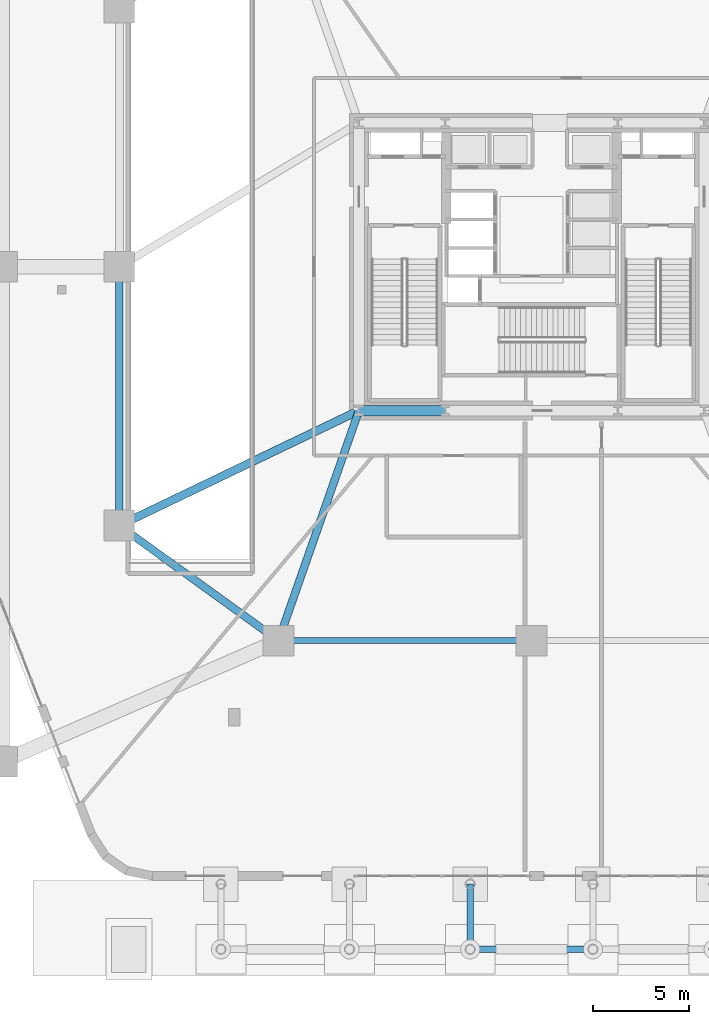
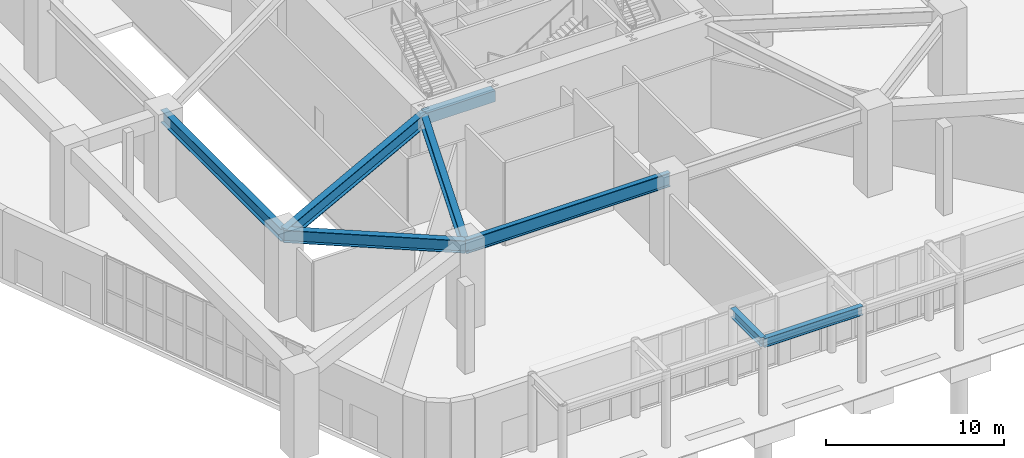
# One storey, part 8 of 35: 8 beams.
"""IFC4 building model written with IfcOpenShell, lengths in metres."""

import ifcopenshell
import ifcopenshell.guid

model = None  # the IFC model being written
_history = None  # IfcOwnerHistory: only IFC2X3 demands one
_inside = {}  # id of a spatial element -> (the spatial element, [elements in it])
_under = {}  # id of a project, library or spatial element -> (it, [spatial elements below it])
_declared = {}  # id of a project -> (the project, [libraries it declares])
_typed = {}  # id of a type object -> (the type object, [elements of that type])
_made_of = {}  # id of a material, layer set ... -> (it, [elements and type objects made of it])


def new_model(schema):
    """Start an empty IFC model of exactly this schema.

    Asked for "IFC4X3", IfcOpenShell would pick the latest addendum, in which some entities
    have other attributes; the version numbers below select the first issue.
    IFC2X3 requires an IfcOwnerHistory on every rooted entity: one is made here for all.
    """
    global model, _history
    if schema == "IFC4X3":
        model = ifcopenshell.file(schema_version=(4, 3, 0, 0))
    else:
        model = ifcopenshell.file(schema=schema)
    _inside.clear()
    _under.clear()
    _declared.clear()
    _typed.clear()
    _made_of.clear()
    _history = None
    if model.schema == "IFC2X3":
        org = make("IfcOrganization", Name="unknown")
        user = make(
            "IfcPersonAndOrganization",
            ThePerson=make("IfcPerson", FamilyName="unknown"),
            TheOrganization=org,
        )
        app = make(
            "IfcApplication",
            ApplicationDeveloper=org,
            Version="unknown",
            ApplicationFullName="unknown",
            ApplicationIdentifier="unknown",
        )
        _history = make(
            "IfcOwnerHistory",
            OwningUser=user,
            OwningApplication=app,
            ChangeAction="ADDED",
            CreationDate=0,
        )
    return model


def make(cls, **values):
    """One entity of the class cls with the attributes given. An attribute that is None is left unset."""
    return model.create_entity(
        cls, **{name: value for name, value in values.items() if value is not None}
    )


def rooted(cls, **values):
    """An entity with a GlobalId (a new one), such as an element, a storey or a relation."""
    return make(cls, GlobalId=ifcopenshell.guid.new(), OwnerHistory=_history, **values)


def si_unit(unit_type, name, prefix=None):
    """IfcSIUnit, for example si_unit("LENGTHUNIT", "METRE", prefix="MILLI")."""
    return make("IfcSIUnit", UnitType=unit_type, Prefix=prefix, Name=name)


def assignment(units):
    """IfcUnitAssignment: the units of a project."""
    return None if units is None else make("IfcUnitAssignment", Units=units)


def point(xyz):
    """IfcCartesianPoint."""
    return None if xyz is None else make("IfcCartesianPoint", Coordinates=xyz)


def direction(xyz):
    """IfcDirection."""
    return None if xyz is None else make("IfcDirection", DirectionRatios=xyz)


def frame(location, z_axis=None, x_axis=None):
    """IfcAxis2Placement3D, a coordinate frame: its origin and axes. An axis left out is left unset."""
    return make(
        "IfcAxis2Placement3D",
        Location=point(location),
        Axis=direction(z_axis),
        RefDirection=direction(x_axis),
    )


def frame_2d(location, x_axis=None):
    """IfcAxis2Placement2D, a coordinate frame in the plane: its origin and x axis."""
    return make(
        "IfcAxis2Placement2D", Location=point(location), RefDirection=direction(x_axis)
    )


def origin():
    """The frame at (0, 0, 0) with its axes left unset."""
    return frame((0.0, 0.0, 0.0))


def origin_2d():
    """The frame at (0, 0) in the plane with its x axis left unset."""
    return frame_2d((0.0, 0.0))


def place(relative_to, where):
    """IfcLocalPlacement: puts the frame where relative to a parent placement (None: the world)."""
    return make(
        "IfcLocalPlacement", PlacementRelTo=relative_to, RelativePlacement=where
    )


def context(
    kind, dimensions, precision=None, world=None, true_north=None, identifier=None
):
    """IfcGeometricRepresentationContext, for example the 3D "Model" context."""
    return make(
        "IfcGeometricRepresentationContext",
        ContextIdentifier=identifier,
        ContextType=kind,
        CoordinateSpaceDimension=dimensions,
        Precision=precision,
        WorldCoordinateSystem=world,
        TrueNorth=true_north,
    )


def subcontext(parent, identifier, kind, view, scale=None):
    """IfcGeometricRepresentationSubContext, for example "Body" below "Model"."""
    return make(
        "IfcGeometricRepresentationSubContext",
        ContextIdentifier=identifier,
        ContextType=kind,
        ParentContext=parent,
        TargetScale=scale,
        TargetView=view,
    )


def project(units=None, contexts=None):
    """IfcProject with its units and contexts."""
    return rooted(
        "IfcProject",
        Name="project",
        RepresentationContexts=contexts,
        UnitsInContext=assignment(units),
    )


def spatial(cls, under=None, at=None, **own):
    """A site, building, storey or space (cls), placed at a placement, below another one or the project."""
    s = rooted(cls, ObjectPlacement=at, **own)
    if under is not None:
        _under.setdefault(under.id(), (under, []))[1].append(s)
    return s


def profile(cls, at=None, kind="AREA", **sizes):
    """A parametric profile (cls). Its sizes go by their IFC names, for example OverallWidth=200.0."""
    return make(cls, ProfileType=kind, Position=at, **sizes)


def rectangle(**sizes):
    """IfcRectangleProfileDef."""
    return profile("IfcRectangleProfileDef", **sizes)


def i_section(**sizes):
    """IfcIShapeProfileDef."""
    return profile("IfcIShapeProfileDef", **sizes)


def extrude(swept, where, along, depth):
    """IfcExtrudedAreaSolid: the profile swept, set in the frame where, extruded along a direction by depth."""
    return make(
        "IfcExtrudedAreaSolid",
        SweptArea=swept,
        Position=where,
        ExtrudedDirection=direction(along),
        Depth=depth,
    )


def shape(context_of_items, identifier, shape_type, items):
    """IfcShapeRepresentation: the items that make up one representation, for example the "Body"."""
    return make(
        "IfcShapeRepresentation",
        ContextOfItems=context_of_items,
        RepresentationIdentifier=identifier,
        RepresentationType=shape_type,
        Items=items,
    )


def material(Name=None, Category=None):
    """IfcMaterial."""
    return make("IfcMaterial", Name=Name, Category=Category)


def material_profile(
    of_material, cross_section, Name=None, Category=None, Priority=None
):
    """IfcMaterialProfile: a cross section and its material."""
    return make(
        "IfcMaterialProfile",
        Name=Name,
        Material=of_material,
        Profile=cross_section,
        Priority=Priority,
        Category=Category,
    )


def profile_set(profiles, Name=None, composite=None):
    """IfcMaterialProfileSet."""
    return make(
        "IfcMaterialProfileSet",
        Name=Name,
        MaterialProfiles=profiles,
        CompositeProfile=composite,
    )


def made_of(thing, what):
    """Note that an element or type object is made of a material, layer set ...; save() writes the relation."""
    if what is not None:
        _made_of.setdefault(what.id(), (what, []))[1].append(thing)
    return thing


def type_object(cls, material=None, **own):
    """A type object (cls), such as IfcWallType, which elements share."""
    return made_of(rooted(cls, **own), material)


def element(
    cls,
    number,
    at=None,
    inside=None,
    cuts=None,
    type_object=None,
    material=None,
    context=None,
    identifier="Body",
    shape_type=None,
    held_by="IfcProductDefinitionShape",
    body=None,
    shapes=None,
    **own,
):
    """One element of the class cls, such as IfcWall. Its Tag is "e" and its number.

    at: its placement. inside: the storey or other place that contains it. cuts: it is an
    opening in that element (IfcRelVoidsElement). A single representation is given by context,
    identifier, shape_type and body (its items); several are given by shapes. held_by: the class
    of the entity that holds the representations. save() writes the other relations.
    """
    e = rooted(cls, Tag="e%d" % number, ObjectPlacement=at, **own)
    if body is not None:
        shapes = [shape(context, identifier, shape_type, body)]
    if shapes is not None:
        e.Representation = make(held_by, Representations=shapes)
    if inside is not None:
        _inside.setdefault(inside.id(), (inside, []))[1].append(e)
    if cuts is not None:
        rooted(
            "IfcRelVoidsElement", RelatingBuildingElement=cuts, RelatedOpeningElement=e
        )
    if type_object is not None:
        _typed.setdefault(type_object.id(), (type_object, []))[1].append(e)
    return made_of(e, material)


def aggregate(whole, parts):
    """IfcRelAggregates: a whole, such as a stair, and the parts it consists of."""
    return rooted("IfcRelAggregates", RelatingObject=whole, RelatedObjects=parts)


def save(model, path):
    """Write the relations noted so far, then the file.

    IfcRelAggregates (storeys below a building ...), IfcRelContainedInSpatialStructure (elements
    in a storey), IfcRelDefinesByType, IfcRelAssociatesMaterial and IfcRelDeclares: one each for
    every whole, place, type object, material and project.
    """
    for whole, parts in _under.values():
        aggregate(whole, parts)
    for where, things in _inside.values():
        rooted(
            "IfcRelContainedInSpatialStructure",
            RelatedElements=things,
            RelatingStructure=where,
        )
    for kind, things in _typed.values():
        rooted("IfcRelDefinesByType", RelatedObjects=things, RelatingType=kind)
    for what, things in _made_of.values():
        rooted("IfcRelAssociatesMaterial", RelatedObjects=things, RelatingMaterial=what)
    for by, libraries in _declared.values():
        rooted("IfcRelDeclares", RelatingContext=by, RelatedDefinitions=libraries)
    model.write(path)


model = new_model("IFC4")

# Units and contexts
model_context = context("Model", 3, precision=1e-05, world=origin(), true_north=direction((0.0, 1.0)))
body_context = subcontext(model_context, "Body", "Model", "MODEL_VIEW")
ifc_project = project(units=[si_unit("LENGTHUNIT", "METRE"), si_unit("AREAUNIT", "SQUARE_METRE"), si_unit("VOLUMEUNIT", "CUBIC_METRE"), si_unit("PLANEANGLEUNIT", "RADIAN"), si_unit("MASSUNIT", "GRAM", prefix="KILO")], contexts=[model_context])

# Site, building, storey
site_placement = place(None, origin())
site = spatial("IfcSite", under=ifc_project, at=site_placement, CompositionType="ELEMENT")
building_placement = place(site_placement, origin())
building = spatial("IfcBuilding", under=site, at=building_placement, Name="Kilnhurst Terrace Hotel", CompositionType="ELEMENT")
storey_placement = place(building_placement, origin())
storey = spatial("IfcBuildingStorey", under=building, at=storey_placement, Name="L00", CompositionType="ELEMENT", Elevation=0.0)

# Beams
ifc_material_1 = material(Name="Concrete C50/60", Category="concrete")
ifc_material_profile_1 = material_profile(ifc_material_1, rectangle(XDim=0.550048828125, YDim=0.75, at=origin_2d()), Name="RC550X750")
ifc_profile_set_1 = profile_set([ifc_material_profile_1], Name="Concrete C50/60")
beam_type_1 = type_object("IfcBeamType", Name="BM-SPN-550X750", PredefinedType="SPANDREL", material=ifc_profile_set_1)
beam_1_placement = place(storey_placement, frame((-9.0, -7.5, 5.304931640625), z_axis=(1.0, 0.0, 0.0), x_axis=(0.0, 1.0, 0.0)))
element("IfcBeam", 1, at=beam_1_placement, inside=storey, type_object=beam_type_1, Name="L00 Core Tie Beam CC-SW to CC-SC1", PredefinedType="SPANDREL", context=body_context, shape_type="SweptSolid", body=[
    extrude(rectangle(XDim=0.550048828125, YDim=0.75, at=origin_2d()), origin(), (0.0, 0.0, 1.0), 4.5),
])
ifc_material_2 = material(Name="Steel ASTM A992 Grade 50", Category="steel")
ifc_material_profile_2 = material_profile(ifc_material_2, i_section(OverallWidth=0.3251953125, OverallDepth=0.6162109375, WebThickness=0.013916015625, FlangeThickness=0.021484375, at=origin_2d()), Name="W24X117")
ifc_profile_set_2 = profile_set([ifc_material_profile_2], Name="Steel ASTM A992 Grade 50")
beam_type_2 = type_object("IfcBeamType", Name="BM-STL-W24X117", PredefinedType="BEAM", material=ifc_profile_set_2)
beam_2_placement = place(storey_placement, frame((-3.199951171875, -35.60009765625, 4.89208984375), z_axis=(0.0, 1.0, 0.0), x_axis=(-1.0, 0.0, 0.0)))
element("IfcBeam", 2, at=beam_2_placement, inside=storey, type_object=beam_type_2, Name="Porte Cochere Canopy Tie Beam 3", PredefinedType="BEAM", context=body_context, shape_type="SweptSolid", body=[
    extrude(i_section(OverallWidth=0.3251953125, OverallDepth=0.6162109375, WebThickness=0.013916015625, FlangeThickness=0.021484375, at=origin_2d()), origin(), (0.0, 0.0, 1.0), 3.400146484375),
])
beam_3_placement = place(storey_placement, frame((-3.199951171875, -35.60009765625, 4.89208984375), z_axis=(1.0, 0.0, 0.0), x_axis=(0.0, 1.0, 0.0)))
element("IfcBeam", 3, at=beam_3_placement, inside=storey, type_object=beam_type_2, Name="Porte Cochere Canopy Edge Beam 3", PredefinedType="BEAM", context=body_context, shape_type="SweptSolid", body=[
    extrude(i_section(OverallWidth=0.3251953125, OverallDepth=0.6162109375, WebThickness=0.013916015625, FlangeThickness=0.021484375, at=origin_2d()), origin(), (0.0, 0.0, 1.0), 6.39990234375),
])
ifc_material_profile_3 = material_profile(ifc_material_2, i_section(OverallWidth=0.39990234375, OverallDepth=0.85546875, WebThickness=0.018310546875, FlangeThickness=0.029296875, at=origin_2d()), Name="W33X201")
ifc_profile_set_3 = profile_set([ifc_material_profile_3], Name="Steel ASTM A992 Grade 50")
beam_type_3 = type_object("IfcBeamType", Name="BM-STL-W33X201", PredefinedType="BEAM", material=ifc_profile_set_3)
beam_4_placement = place(storey_placement, frame((-21.5, -13.5, 5.251953125), z_axis=(0.0, 1.0, 0.0), x_axis=(-1.0, 0.0, 0.0)))
element("IfcBeam", 4, at=beam_4_placement, inside=storey, type_object=beam_type_3, Name="L00 Podium Frame Beam 1", PredefinedType="BEAM", context=body_context, shape_type="SweptSolid", body=[
    extrude(i_section(OverallWidth=0.39990234375, OverallDepth=0.85546875, WebThickness=0.018310546875, FlangeThickness=0.029296875, at=origin_2d()), origin(), (0.0, 0.0, 1.0), 13.5),
])
beam_5_placement = place(storey_placement, frame((-13.199951171875, -19.5, 5.251953125), z_axis=(0.330347003279, 0.943859553866, 0.0), x_axis=(-0.943859553866, 0.330347003279, 0.0)))
element("IfcBeam", 5, at=beam_5_placement, inside=storey, type_object=beam_type_3, Name="L00 Podium Frame Beam 15", PredefinedType="BEAM", context=body_context, shape_type="SweptSolid", body=[
    extrude(i_section(OverallWidth=0.39990234375, OverallDepth=0.85546875, WebThickness=0.018310546875, FlangeThickness=0.029296875, at=origin_2d()), origin(), (0.0, 0.0, 1.0), 12.7138671875),
])
beam_6_placement = place(storey_placement, frame((-21.5, -13.5, 5.251953125), z_axis=(0.810423314702, -0.585844732833, 0.0), x_axis=(0.585844732833, 0.810423314702, 0.0)))
element("IfcBeam", 6, at=beam_6_placement, inside=storey, type_object=beam_type_3, Name="L00 Podium Frame Beam 17", PredefinedType="BEAM", context=body_context, shape_type="SweptSolid", body=[
    extrude(i_section(OverallWidth=0.39990234375, OverallDepth=0.85546875, WebThickness=0.018310546875, FlangeThickness=0.029296875, at=origin_2d()), origin(), (0.0, 0.0, 1.0), 10.24169921875),
])
ifc_material_profile_4 = material_profile(ifc_material_2, i_section(OverallWidth=0.307861328125, OverallDepth=0.94287109375, WebThickness=0.022216796875, FlangeThickness=0.039794921875, at=origin_2d()), Name="W36X232")
ifc_profile_set_4 = profile_set([ifc_material_profile_4], Name="Steel ASTM A992 Grade 50")
beam_type_4 = type_object("IfcBeamType", Name="BM-STL-W36X232", PredefinedType="BEAM", material=ifc_profile_set_4)
beam_7_placement = place(storey_placement, frame((-13.199951171875, -19.5, 5.2099609375), z_axis=(1.0, 0.0, 0.0), x_axis=(0.0, 1.0, 0.0)))
element("IfcBeam", 7, at=beam_7_placement, inside=storey, type_object=beam_type_4, Name="L00 Sub-Ballroom Girder 1", PredefinedType="BEAM", context=body_context, shape_type="SweptSolid", body=[
    extrude(i_section(OverallWidth=0.307861328125, OverallDepth=0.94287109375, WebThickness=0.022216796875, FlangeThickness=0.039794921875, at=origin_2d()), origin(), (0.0, 0.0, 1.0), 13.199951171875),
])
ifc_material_profile_5 = material_profile(ifc_material_2, i_section(OverallWidth=0.423095703125, OverallDepth=0.9482421875, WebThickness=0.02392578125, FlangeThickness=0.042724609375, at=origin_2d()), Name="W36X302")
ifc_profile_set_5 = profile_set([ifc_material_profile_5], Name="Steel ASTM A992 Grade 50")
beam_type_5 = type_object("IfcBeamType", Name="BM-STL-W36X302", PredefinedType="BEAM", material=ifc_profile_set_5)
beam_8_placement = place(storey_placement, frame((-21.5, -13.5, 5.2060546875), z_axis=(0.901523057468, 0.432731067585, 0.0), x_axis=(-0.432731067585, 0.901523057468, 0.0)))
element("IfcBeam", 8, at=beam_8_placement, inside=storey, type_object=beam_type_5, Name="L00 Podium Frame Beam 10", PredefinedType="BEAM", context=body_context, shape_type="SweptSolid", body=[
    extrude(i_section(OverallWidth=0.423095703125, OverallDepth=0.9482421875, WebThickness=0.02392578125, FlangeThickness=0.042724609375, at=origin_2d()), origin(), (0.0, 0.0, 1.0), 13.865478515625),
])

save(model, "model.ifc")
